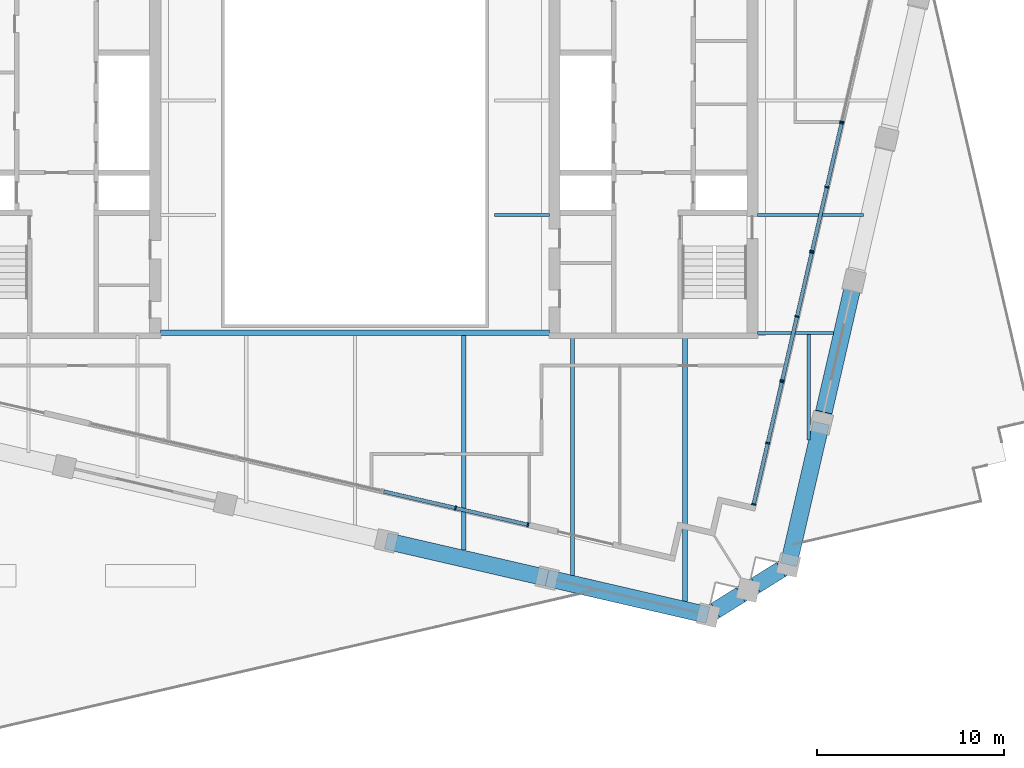
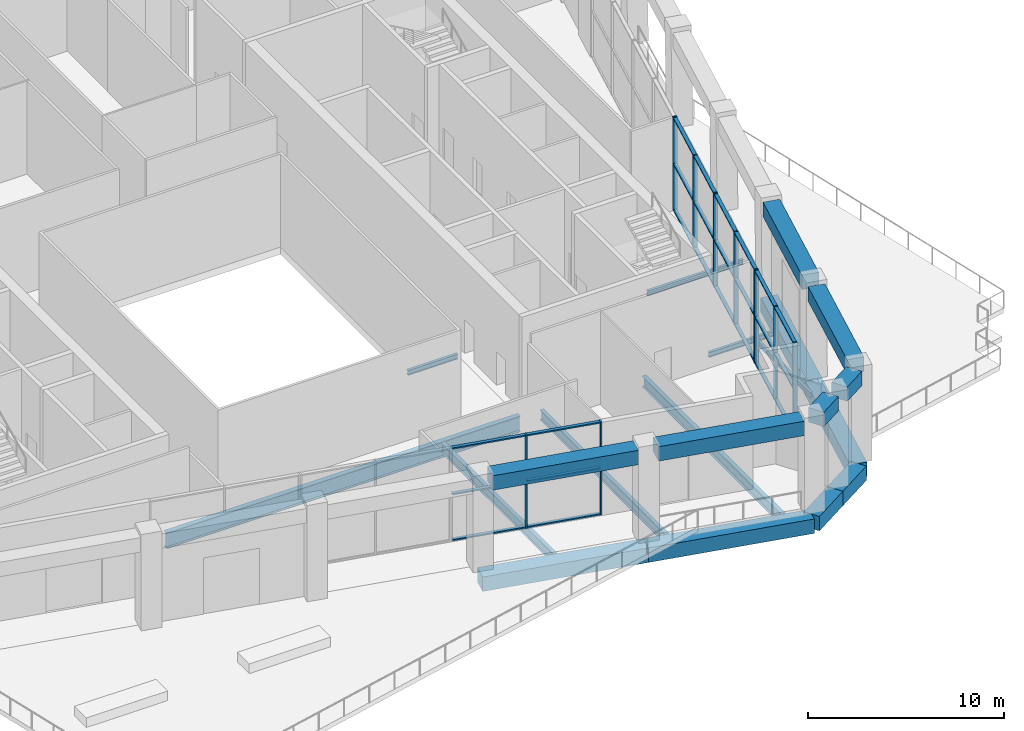
# One storey, part 3 of 21: 36 members, 20 beams, 5 elements without a shape of their own.
"""IFC4 building model written with IfcOpenShell, lengths in metres."""

from ifc_helpers import new_model, si_unit, direction, frame, origin, origin_2d, place, context, subcontext, project, spatial, rectangle, i_section, extrude, material, material_profile, profile_set, type_object, element, aggregate, save


model = new_model("IFC4")

# Units and contexts
model_context = context("Model", 3, precision=1e-05, world=origin(), true_north=direction((0.0, 1.0)))
body_context = subcontext(model_context, "Body", "Model", "MODEL_VIEW")
ifc_project = project(units=[si_unit("LENGTHUNIT", "METRE"), si_unit("AREAUNIT", "SQUARE_METRE"), si_unit("VOLUMEUNIT", "CUBIC_METRE"), si_unit("PLANEANGLEUNIT", "RADIAN"), si_unit("MASSUNIT", "GRAM", prefix="KILO")], contexts=[model_context])

# Site, building, storey
site_placement = place(None, origin())
site = spatial("IfcSite", under=ifc_project, at=site_placement, CompositionType="ELEMENT")
building_placement = place(site_placement, origin())
building = spatial("IfcBuilding", under=site, at=building_placement, Name="Ogive Exchange Tower", CompositionType="ELEMENT")
storey_placement = place(building_placement, frame((0.0, 0.0, 237.0)))
storey = spatial("IfcBuildingStorey", under=building, at=storey_placement, Name="L51", CompositionType="ELEMENT", Elevation=237.0)

# Beams
ifc_material_1 = material(Name="Steel ASTM A992 Gr50", Category="steel")
ifc_material_profile_1 = material_profile(ifc_material_1, i_section(OverallWidth=0.1650390625, OverallDepth=0.31005859375, WebThickness=0.005859375, FlangeThickness=0.009765625, at=origin_2d()), Name="W310x38.7")
ifc_profile_set_1 = profile_set([ifc_material_profile_1], Name="Steel ASTM A992 Gr50")
beam_type_1 = type_object("IfcBeamType", Name="Floor beam W310x38.7", PredefinedType="JOIST", material=ifc_profile_set_1)
beam_1_placement = place(storey_placement, frame((7.469970703125, 3.8583984375, -0.60498046875), z_axis=(1.0, 0.0, 0.0), x_axis=(0.0, 1.0, 0.0)))
element("IfcBeam", 1, at=beam_1_placement, inside=storey, type_object=beam_type_1, Name="Floor beam", PredefinedType="JOIST", context=body_context, shape_type="SweptSolid", body=[
    extrude(i_section(OverallWidth=0.1650390625, OverallDepth=0.31005859375, WebThickness=0.005859375, FlangeThickness=0.009765625, at=origin_2d()), origin(), (0.0, 0.0, 1.0), 2.949951171875),
])
beam_2_placement = place(storey_placement, frame((21.580078125, 3.8583984375, -0.60498046875), z_axis=(1.0, 0.0, 0.0), x_axis=(0.0, 1.0, 0.0)))
element("IfcBeam", 2, at=beam_2_placement, inside=storey, type_object=beam_type_1, Name="Floor beam", PredefinedType="JOIST", context=body_context, shape_type="SweptSolid", body=[
    extrude(i_section(OverallWidth=0.1650390625, OverallDepth=0.31005859375, WebThickness=0.005859375, FlangeThickness=0.009765625, at=origin_2d()), origin(), (0.0, 0.0, 1.0), 5.6708984375),
])
beam_3_placement = place(storey_placement, frame((24.319091796875, -8.190673828125, -0.60498046875), z_axis=(0.0, 1.0, 0.0), x_axis=(-1.0, 0.0, 0.0)))
element("IfcBeam", 3, at=beam_3_placement, inside=storey, type_object=beam_type_1, Name="Floor beam", PredefinedType="JOIST", context=body_context, shape_type="SweptSolid", body=[
    extrude(i_section(OverallWidth=0.1650390625, OverallDepth=0.31005859375, WebThickness=0.005859375, FlangeThickness=0.009765625, at=origin_2d()), origin(), (0.0, 0.0, 1.0), 5.6630859375),
])
ifc_material_profile_2 = material_profile(ifc_material_1, i_section(OverallWidth=0.22802734375, OverallDepth=0.60205078125, WebThickness=0.010498046875, FlangeThickness=0.014892578125, at=origin_2d()), Name="W610x101")
ifc_profile_set_2 = profile_set([ifc_material_profile_2], Name="Steel ASTM A992 Gr50")
beam_type_2 = type_object("IfcBeamType", Name="Floor beam W610x101", PredefinedType="JOIST", material=ifc_profile_set_2)
beam_4_placement = place(storey_placement, frame((5.829833984375, -14.096923828125, -0.7509765625), z_axis=(0.0, 1.0, 0.0), x_axis=(-1.0, 0.0, 0.0)))
element("IfcBeam", 4, at=beam_4_placement, inside=storey, type_object=beam_type_2, Name="Floor beam", PredefinedType="JOIST", context=body_context, shape_type="SweptSolid", body=[
    extrude(i_section(OverallWidth=0.22802734375, OverallDepth=0.60205078125, WebThickness=0.010498046875, FlangeThickness=0.014892578125, at=origin_2d()), origin(), (0.0, 0.0, 1.0), 11.501953125),
])
ifc_material_profile_3 = material_profile(ifc_material_1, i_section(OverallWidth=0.22900390625, OverallDepth=0.612060546875, WebThickness=0.011962890625, FlangeThickness=0.01953125, at=origin_2d()), Name="W610x125")
ifc_profile_set_3 = profile_set([ifc_material_profile_3], Name="Steel ASTM A992 Gr50")
beam_type_3 = type_object("IfcBeamType", Name="Floor beam W610x125", PredefinedType="JOIST", material=ifc_profile_set_3)
beam_5_placement = place(storey_placement, frame((11.65966796875, -15.44287109375, -0.756103515625), z_axis=(0.0, 1.0, 0.0), x_axis=(-1.0, 0.0, 0.0)))
element("IfcBeam", 5, at=beam_5_placement, inside=storey, type_object=beam_type_3, Name="Floor beam", PredefinedType="JOIST", context=body_context, shape_type="SweptSolid", body=[
    extrude(i_section(OverallWidth=0.22900390625, OverallDepth=0.612060546875, WebThickness=0.011962890625, FlangeThickness=0.01953125, at=origin_2d()), origin(), (0.0, 0.0, 1.0), 12.8427734375),
])
ifc_material_profile_4 = material_profile(ifc_material_1, i_section(OverallWidth=0.25390625, OverallDepth=0.677978515625, WebThickness=0.01171875, FlangeThickness=0.016357421875, at=origin_2d()), Name="W690x125")
ifc_profile_set_4 = profile_set([ifc_material_profile_4], Name="Steel ASTM A992 Gr50")
beam_type_4 = type_object("IfcBeamType", Name="Floor beam W690x125", PredefinedType="JOIST", material=ifc_profile_set_4)
beam_6_placement = place(storey_placement, frame((17.689453125, -16.8349609375, -0.7890625), z_axis=(0.0, 1.0, 0.0), x_axis=(-1.0, 0.0, 0.0)))
element("IfcBeam", 6, at=beam_6_placement, inside=storey, type_object=beam_type_4, Name="Floor beam", PredefinedType="JOIST", context=body_context, shape_type="SweptSolid", body=[
    extrude(i_section(OverallWidth=0.25390625, OverallDepth=0.677978515625, WebThickness=0.01171875, FlangeThickness=0.016357421875, at=origin_2d()), origin(), (0.0, 0.0, 1.0), 14.23486328125),
])
ifc_material_profile_5 = material_profile(ifc_material_1, i_section(OverallWidth=0.300048828125, OverallDepth=0.97998046875, WebThickness=0.0166015625, FlangeThickness=0.026123046875, at=origin_2d()), Name="W1000x249")
ifc_profile_set_5 = profile_set([ifc_material_profile_5], Name="Steel ASTM A992 Gr50")
beam_type_5 = type_object("IfcBeamType", Name="Girder W1000x249", PredefinedType="BEAM", material=ifc_profile_set_5)
beam_7_placement = place(storey_placement, frame((-10.419921875, -2.445068359375, -0.93994140625), z_axis=(1.0, 0.0, 0.0), x_axis=(0.0, 1.0, 0.0)))
element("IfcBeam", 7, at=beam_7_placement, inside=storey, type_object=beam_type_5, Name="Header girder", PredefinedType="BEAM", context=body_context, shape_type="SweptSolid", body=[
    extrude(i_section(OverallWidth=0.300048828125, OverallDepth=0.97998046875, WebThickness=0.0166015625, FlangeThickness=0.026123046875, at=origin_2d()), origin(), (0.0, 0.0, 1.0), 20.83984375),
])
ifc_material_profile_6 = material_profile(ifc_material_1, i_section(OverallWidth=0.1650390625, OverallDepth=0.31005859375, WebThickness=0.005859375, FlangeThickness=0.009765625, at=origin_2d()), Name="W310x38.7")
ifc_profile_set_6 = profile_set([ifc_material_profile_6], Name="Steel ASTM A992 Gr50")
beam_type_6 = type_object("IfcBeamType", Name="Girder W310x38.7", PredefinedType="BEAM", material=ifc_profile_set_6)
beam_8_placement = place(storey_placement, frame((21.580078125, -2.445068359375, -0.60498046875), z_axis=(1.0, 0.0, 0.0), x_axis=(0.0, 1.0, 0.0)))
element("IfcBeam", 8, at=beam_8_placement, inside=storey, type_object=beam_type_6, Name="Header girder", PredefinedType="BEAM", context=body_context, shape_type="SweptSolid", body=[
    extrude(i_section(OverallWidth=0.1650390625, OverallDepth=0.31005859375, WebThickness=0.005859375, FlangeThickness=0.009765625, at=origin_2d()), origin(), (0.0, 0.0, 1.0), 4.065673828125),
])
ifc_material_2 = material(Name="Precast concrete C70/85 (limestone faced)", Category="masonry")
ifc_material_profile_7 = material_profile(ifc_material_2, rectangle(XDim=0.89990234375, YDim=0.89990234375, at=origin_2d()), Name="900 x 900")
ifc_profile_set_7 = profile_set([ifc_material_profile_7], Name="Precast concrete C70/85 (limestone faced)")
beam_type_7 = type_object("IfcBeamType", Name="Precast spandrel 900 x 900 C70/85", PredefinedType="SPANDREL", material=ifc_profile_set_7)
beam_9_placement = place(storey_placement, frame((2.188720703125, -13.718017578125, 5.300048828125), z_axis=(0.974366363305, -0.224967086616, 0.0), x_axis=(0.224967086616, 0.974366363305, 0.0)))
element("IfcBeam", 9, at=beam_9_placement, inside=storey, type_object=beam_type_7, Name="Spandrel 5", PredefinedType="SPANDREL", context=body_context, shape_type="SweptSolid", body=[
    extrude(rectangle(XDim=0.89990234375, YDim=0.89990234375, at=origin_2d()), origin(), (0.0, 0.0, 1.0), 7.789794921875),
])
beam_10_placement = place(storey_placement, frame((10.811767578125, -15.708984375, 5.300048828125), z_axis=(0.974374818602, -0.224930462307, 0.0), x_axis=(0.224930462307, 0.974374818602, 0.0)))
element("IfcBeam", 10, at=beam_10_placement, inside=storey, type_object=beam_type_7, Name="Spandrel 6", PredefinedType="SPANDREL", context=body_context, shape_type="SweptSolid", body=[
    extrude(rectangle(XDim=0.89990234375, YDim=0.89990234375, at=origin_2d()), origin(), (0.0, 0.0, 1.0), 7.7900390625),
])
for number, where, z_axis, x_axis, name in (
    (11, (19.32373046875, -17.327392578125, 5.300048828125), (0.84798967817, 0.53001274109, 0.0), (-0.53001274109, 0.84798967817, 0.0), "Spandrel 7"),
    (12, (21.482421875, -15.978271484375, 5.300048828125), (0.848058683477, 0.529902320601, 0.0), (-0.529902320601, 0.848058683477, 0.0), "Spandrel 8"),
):
    element("IfcBeam", number, at=place(storey_placement, frame(where, z_axis=z_axis, x_axis=x_axis)), inside=storey, type_object=beam_type_7, Name=name, PredefinedType="SPANDREL", context=body_context, shape_type="SweptSolid", body=[
        extrude(rectangle(XDim=0.89990234375, YDim=0.89990234375, at=origin_2d()), origin(), (0.0, 0.0, 1.0), 1.590087890625),
    ])
beam_11_placement = place(storey_placement, frame((23.355224609375, -14.3662109375, 5.300048828125), z_axis=(0.224945807101, 0.974371276192, 0.0), x_axis=(-0.974371276192, 0.224945807101, 0.0)))
element("IfcBeam", 13, at=beam_11_placement, inside=storey, type_object=beam_type_7, Name="Spandrel 9", PredefinedType="SPANDREL", context=body_context, shape_type="SweptSolid", body=[
    extrude(rectangle(XDim=0.89990234375, YDim=0.89990234375, at=origin_2d()), origin(), (0.0, 0.0, 1.0), 6.818115234375),
])
beam_12_placement = place(storey_placement, frame((25.12744140625, -6.690185546875, 5.300048828125), z_axis=(0.22495365579, 0.97436946419, 0.0), x_axis=(-0.97436946419, 0.22495365579, 0.0)))
element("IfcBeam", 14, at=beam_12_placement, inside=storey, type_object=beam_type_7, Name="Spandrel 10", PredefinedType="SPANDREL", context=body_context, shape_type="SweptSolid", body=[
    extrude(rectangle(XDim=0.89990234375, YDim=0.89990234375, at=origin_2d()), origin(), (0.0, 0.0, 1.0), 6.81787109375),
])
ifc_material_profile_8 = material_profile(ifc_material_2, rectangle(XDim=0.89990234375, YDim=0.89990234375, at=origin_2d()), Name="900 x 900")
ifc_profile_set_8 = profile_set([ifc_material_profile_8], Name="Precast concrete C70/85 (limestone faced)")
beam_type_8 = type_object("IfcBeamType", Name="Precast transfer girder 900 x 900 C70/85", PredefinedType="BEAM", material=ifc_profile_set_8)
beam_13_placement = place(storey_placement, frame((1.672119140625, -13.598876953125, -0.89990234375), z_axis=(0.974373060008, -0.224938080216, 0.0), x_axis=(0.224938080216, 0.974373060008, 0.0)))
element("IfcBeam", 15, at=beam_13_placement, inside=storey, type_object=beam_type_8, Name="Transfer girder 5", PredefinedType="BEAM", context=body_context, shape_type="SweptSolid", body=[
    extrude(rectangle(XDim=0.89990234375, YDim=0.89990234375, at=origin_2d()), origin(), (0.0, 0.0, 1.0), 8.85009765625),
])
beam_14_placement = place(storey_placement, frame((10.29541015625, -15.589599609375, -0.89990234375), z_axis=(0.974365617364, -0.224970317373, 0.0), x_axis=(0.224970317373, 0.974365617364, 0.0)))
element("IfcBeam", 16, at=beam_14_placement, inside=storey, type_object=beam_type_8, Name="Transfer girder 6", PredefinedType="BEAM", context=body_context, shape_type="SweptSolid", body=[
    extrude(rectangle(XDim=0.89990234375, YDim=0.89990234375, at=origin_2d()), origin(), (0.0, 0.0, 1.0), 8.849853515625),
])
beam_15_placement = place(storey_placement, frame((18.91845703125, -17.58056640625, -0.89990234375), z_axis=(0.848036015, 0.529938597635, 0.0), x_axis=(-0.529938597635, 0.848036015, 0.0)))
element("IfcBeam", 17, at=beam_15_placement, inside=storey, type_object=beam_type_8, Name="Transfer girder 7", PredefinedType="BEAM", context=body_context, shape_type="SweptSolid", body=[
    extrude(rectangle(XDim=0.89990234375, YDim=0.89990234375, at=origin_2d()), origin(), (0.0, 0.0, 1.0), 2.5458984375),
])
beam_16_placement = place(storey_placement, frame((21.077392578125, -16.2314453125, -0.89990234375), z_axis=(0.848052182659, 0.529912724405, 0.0), x_axis=(-0.529912724405, 0.848052182659, 0.0)))
element("IfcBeam", 18, at=beam_16_placement, inside=storey, type_object=beam_type_8, Name="Transfer girder 8", PredefinedType="BEAM", context=body_context, shape_type="SweptSolid", body=[
    extrude(rectangle(XDim=0.89990234375, YDim=0.89990234375, at=origin_2d()), origin(), (0.0, 0.0, 1.0), 2.54541015625),
])
for number, where, z_axis, x_axis, name in (
    (19, (23.236083984375, -14.882568359375, -0.89990234375), (0.22495322987, 0.974369562523, 0.0), (-0.974369562523, 0.22495322987, 0.0), "Transfer girder 9"),
    (20, (24.99072265625, -7.282470703125, -0.89990234375), (0.22495322987, 0.974369562523, 0.0), (-0.974369562523, 0.22495322987, 0.0), "Transfer girder 10"),
):
    element("IfcBeam", number, at=place(storey_placement, frame(where, z_axis=z_axis, x_axis=x_axis)), inside=storey, type_object=beam_type_8, Name=name, PredefinedType="BEAM", context=body_context, shape_type="SweptSolid", body=[
        extrude(rectangle(XDim=0.89990234375, YDim=0.89990234375, at=origin_2d()), origin(), (0.0, 0.0, 1.0), 7.800048828125),
    ])

# Curtain wall, members
ifc_material_3 = material(Name="Anodised aluminium and clear glass", Category="aluminium")
curtain_wall_type = type_object("IfcCurtainWallType", Name="Winter garden glazing", PredefinedType="NOTDEFINED", material=ifc_material_3)
curtain_wall_1_placement = place(storey_placement, origin())
curtain_wall_1 = element("IfcCurtainWall", 21, at=curtain_wall_1_placement, inside=storey, type_object=curtain_wall_type, Name="Winter garden glazing run G5", PredefinedType="NOTDEFINED")
ifc_material_4 = material(Name="Anodised aluminium", Category="aluminium")
ifc_material_profile_9 = material_profile(ifc_material_4, rectangle(XDim=0.239990234375, YDim=0.080078125, at=origin_2d()), Name="AL 80x240")
ifc_profile_set_9 = profile_set([ifc_material_profile_9], Name="Anodised aluminium")
member_type_1 = type_object("IfcMemberType", Name="Winter garden glazing mullion 80 x 240", PredefinedType="MULLION", material=ifc_profile_set_9)
member_1_placement = place(storey_placement, frame((5.38818359375, -11.839599609375, 0.0), z_axis=(0.0, 0.0, 1.0), x_axis=(0.224955673842, 0.974368998279, 0.0)))
member_1 = element("IfcMember", 22, at=member_1_placement, type_object=member_type_1, Name="G5 mullion 2", PredefinedType="MULLION", context=body_context, shape_type="SweptSolid", body=[
    extrude(rectangle(XDim=0.239990234375, YDim=0.080078125, at=origin_2d()), origin(), (0.0, 0.0, 1.0), 5.800048828125),
])
member_2_placement = place(storey_placement, frame((9.27099609375, -12.736083984375, 0.0), z_axis=(0.0, 0.0, 1.0), x_axis=(0.224955673842, 0.974368998279, 0.0)))
member_2 = element("IfcMember", 23, at=member_2_placement, type_object=member_type_1, Name="G5 mullion 3", PredefinedType="MULLION", context=body_context, shape_type="SweptSolid", body=[
    extrude(rectangle(XDim=0.239990234375, YDim=0.080078125, at=origin_2d()), origin(), (0.0, 0.0, 1.0), 5.800048828125),
])

curtain_wall_2_placement = place(storey_placement, origin())
curtain_wall_2 = element("IfcCurtainWall", 24, at=curtain_wall_2_placement, inside=storey, type_object=curtain_wall_type, Name="Winter garden glazing run G7", PredefinedType="NOTDEFINED")
member_3_placement = place(storey_placement, frame((21.367919921875, -11.63916015625, 0.0), z_axis=(0.0, 0.0, 1.0), x_axis=(-0.974369920963, 0.224951677306, 0.0)))
member_3 = element("IfcMember", 25, at=member_3_placement, type_object=member_type_1, Name="G7 mullion 1", PredefinedType="MULLION", context=body_context, shape_type="SweptSolid", body=[
    extrude(rectangle(XDim=0.239990234375, YDim=0.080078125, at=origin_2d()), origin(), (0.0, 0.0, 1.0), 5.800048828125),
])
member_4_placement = place(storey_placement, frame((22.125244140625, -8.3583984375, 0.0), z_axis=(0.0, 0.0, 1.0), x_axis=(-0.974369920963, 0.224951677306, 0.0)))
member_4 = element("IfcMember", 26, at=member_4_placement, type_object=member_type_1, Name="G7 mullion 2", PredefinedType="MULLION", context=body_context, shape_type="SweptSolid", body=[
    extrude(rectangle(XDim=0.239990234375, YDim=0.080078125, at=origin_2d()), origin(), (0.0, 0.0, 1.0), 5.800048828125),
])
member_5_placement = place(storey_placement, frame((22.8828125, -5.077392578125, 0.0), z_axis=(0.0, 0.0, 1.0), x_axis=(-0.974369920963, 0.224951677306, 0.0)))
member_5 = element("IfcMember", 27, at=member_5_placement, type_object=member_type_1, Name="G7 mullion 3", PredefinedType="MULLION", context=body_context, shape_type="SweptSolid", body=[
    extrude(rectangle(XDim=0.239990234375, YDim=0.080078125, at=origin_2d()), origin(), (0.0, 0.0, 1.0), 5.800048828125),
])

curtain_wall_3_placement = place(storey_placement, origin())
curtain_wall_3 = element("IfcCurtainWall", 28, at=curtain_wall_3_placement, inside=storey, type_object=curtain_wall_type, Name="Winter garden glazing run G8", PredefinedType="NOTDEFINED")
member_6_placement = place(storey_placement, frame((22.900634765625, -4.99951171875, 0.0), z_axis=(0.0, 0.0, 1.0), x_axis=(-0.974368684938, 0.224957031035, 0.0)))
member_6 = element("IfcMember", 29, at=member_6_placement, type_object=member_type_1, Name="G8 mullion 1", PredefinedType="MULLION", context=body_context, shape_type="SweptSolid", body=[
    extrude(rectangle(XDim=0.239990234375, YDim=0.080078125, at=origin_2d()), origin(), (0.0, 0.0, 1.0), 5.800048828125),
])
member_7_placement = place(storey_placement, frame((23.69189453125, -1.572509765625, 0.0), z_axis=(0.0, 0.0, 1.0), x_axis=(-0.974368684938, 0.224957031035, 0.0)))
member_7 = element("IfcMember", 30, at=member_7_placement, type_object=member_type_1, Name="G8 mullion 2", PredefinedType="MULLION", context=body_context, shape_type="SweptSolid", body=[
    extrude(rectangle(XDim=0.239990234375, YDim=0.080078125, at=origin_2d()), origin(), (0.0, 0.0, 1.0), 5.800048828125),
])
member_8_placement = place(storey_placement, frame((24.483154296875, 1.8544921875, 0.0), z_axis=(0.0, 0.0, 1.0), x_axis=(-0.974368684938, 0.224957031035, 0.0)))
member_8 = element("IfcMember", 31, at=member_8_placement, type_object=member_type_1, Name="G8 mullion 3", PredefinedType="MULLION", context=body_context, shape_type="SweptSolid", body=[
    extrude(rectangle(XDim=0.239990234375, YDim=0.080078125, at=origin_2d()), origin(), (0.0, 0.0, 1.0), 5.800048828125),
])

curtain_wall_4_placement = place(storey_placement, origin())
curtain_wall_4 = element("IfcCurtainWall", 32, at=curtain_wall_4_placement, inside=storey, type_object=curtain_wall_type, Name="Winter garden glazing run G9", PredefinedType="NOTDEFINED")
member_9_placement = place(storey_placement, frame((24.5009765625, 1.932373046875, 0.0), z_axis=(0.0, 0.0, 1.0), x_axis=(-0.974372477105, 0.224940605185, 0.0)))
member_9 = element("IfcMember", 33, at=member_9_placement, type_object=member_type_1, Name="G9 mullion 1", PredefinedType="MULLION", context=body_context, shape_type="SweptSolid", body=[
    extrude(rectangle(XDim=0.239990234375, YDim=0.080078125, at=origin_2d()), origin(), (0.0, 0.0, 1.0), 5.800048828125),
])
member_10_placement = place(storey_placement, frame((25.292236328125, 5.359375, 0.0), z_axis=(0.0, 0.0, 1.0), x_axis=(-0.974372477105, 0.224940605185, 0.0)))
member_10 = element("IfcMember", 34, at=member_10_placement, type_object=member_type_1, Name="G9 mullion 2", PredefinedType="MULLION", context=body_context, shape_type="SweptSolid", body=[
    extrude(rectangle(XDim=0.239990234375, YDim=0.080078125, at=origin_2d()), origin(), (0.0, 0.0, 1.0), 5.800048828125),
])
member_11_placement = place(storey_placement, frame((26.08349609375, 8.786376953125, 0.0), z_axis=(0.0, 0.0, 1.0), x_axis=(-0.974372477105, 0.224940605185, 0.0)))
member_11 = element("IfcMember", 35, at=member_11_placement, type_object=member_type_1, Name="G9 mullion 3", PredefinedType="MULLION", context=body_context, shape_type="SweptSolid", body=[
    extrude(rectangle(XDim=0.239990234375, YDim=0.080078125, at=origin_2d()), origin(), (0.0, 0.0, 1.0), 5.800048828125),
])

# Curtain wall, member
curtain_wall_5_placement = place(storey_placement, origin())
curtain_wall_5 = element("IfcCurtainWall", 36, at=curtain_wall_5_placement, inside=storey, type_object=curtain_wall_type, Name="Winter garden glazing run G10", PredefinedType="NOTDEFINED")
member_12_placement = place(storey_placement, frame((26.101318359375, 8.8642578125, 0.0), z_axis=(0.0, 0.0, 1.0), x_axis=(-0.974368684938, 0.224957031035, 0.0)))
member_12 = element("IfcMember", 37, at=member_12_placement, type_object=member_type_1, Name="G10 mullion 1", PredefinedType="MULLION", context=body_context, shape_type="SweptSolid", body=[
    extrude(rectangle(XDim=0.239990234375, YDim=0.080078125, at=origin_2d()), origin(), (0.0, 0.0, 1.0), 5.800048828125),
])
aggregate(curtain_wall_5, [member_12])

# Member
ifc_material_profile_10 = material_profile(ifc_material_4, rectangle(XDim=0.199951171875, YDim=0.080078125, at=origin_2d()), Name="AL 80x200")
ifc_profile_set_10 = profile_set([ifc_material_profile_10], Name="Anodised aluminium")
member_type_2 = type_object("IfcMemberType", Name="Winter garden glazing transom 80 x 200", PredefinedType="USERDEFINED", material=ifc_profile_set_10)
member_13_placement = place(storey_placement, frame((1.544189453125, -10.9521484375, 0.0400390625), z_axis=(0.974371171445, -0.224946260819, 0.0), x_axis=(0.224946260819, 0.974371171445, 0.0)))
member_13 = element("IfcMember", 38, at=member_13_placement, type_object=member_type_2, Name="G5 transom 1.1", ObjectType="TRANSOM", PredefinedType="USERDEFINED", context=body_context, shape_type="SweptSolid", body=[
    extrude(rectangle(XDim=0.199951171875, YDim=0.080078125, at=origin_2d()), origin(), (0.0, 0.0, 1.0), 3.905029296875),
])

member_14_placement = place(storey_placement, frame((1.544189453125, -10.9521484375, 2.89990234375), z_axis=(0.974371171445, -0.224946260819, 0.0), x_axis=(0.224946260819, 0.974371171445, 0.0)))
member_14 = element("IfcMember", 39, at=member_14_placement, type_object=member_type_2, Name="G5 transom 1.2", ObjectType="TRANSOM", PredefinedType="USERDEFINED", context=body_context, shape_type="SweptSolid", body=[
    extrude(rectangle(XDim=0.199951171875, YDim=0.080078125, at=origin_2d()), origin(), (0.0, 0.0, 1.0), 3.905029296875),
])

member_15_placement = place(storey_placement, frame((1.544189453125, -10.9521484375, 5.760009765625), z_axis=(0.974371171445, -0.224946260819, 0.0), x_axis=(0.224946260819, 0.974371171445, 0.0)))
member_15 = element("IfcMember", 40, at=member_15_placement, type_object=member_type_2, Name="G5 transom 1.3", ObjectType="TRANSOM", PredefinedType="USERDEFINED", context=body_context, shape_type="SweptSolid", body=[
    extrude(rectangle(XDim=0.199951171875, YDim=0.080078125, at=origin_2d()), origin(), (0.0, 0.0, 1.0), 3.905029296875),
])

member_16_placement = place(storey_placement, frame((5.42724609375, -11.8486328125, 0.0400390625), z_axis=(0.974368007603, -0.224959964794, 0.0), x_axis=(0.224959964794, 0.974368007603, 0.0)))
member_16 = element("IfcMember", 41, at=member_16_placement, type_object=member_type_2, Name="G5 transom 2.1", ObjectType="TRANSOM", PredefinedType="USERDEFINED", context=body_context, shape_type="SweptSolid", body=[
    extrude(rectangle(XDim=0.199951171875, YDim=0.080078125, at=origin_2d()), origin(), (0.0, 0.0, 1.0), 3.90478515625),
])

member_17_placement = place(storey_placement, frame((5.42724609375, -11.8486328125, 2.89990234375), z_axis=(0.974368007603, -0.224959964794, 0.0), x_axis=(0.224959964794, 0.974368007603, 0.0)))
member_17 = element("IfcMember", 42, at=member_17_placement, type_object=member_type_2, Name="G5 transom 2.2", ObjectType="TRANSOM", PredefinedType="USERDEFINED", context=body_context, shape_type="SweptSolid", body=[
    extrude(rectangle(XDim=0.199951171875, YDim=0.080078125, at=origin_2d()), origin(), (0.0, 0.0, 1.0), 3.90478515625),
])

member_18_placement = place(storey_placement, frame((5.42724609375, -11.8486328125, 5.760009765625), z_axis=(0.974368007603, -0.224959964794, 0.0), x_axis=(0.224959964794, 0.974368007603, 0.0)))
member_18 = element("IfcMember", 43, at=member_18_placement, type_object=member_type_2, Name="G5 transom 2.3", ObjectType="TRANSOM", PredefinedType="USERDEFINED", context=body_context, shape_type="SweptSolid", body=[
    extrude(rectangle(XDim=0.199951171875, YDim=0.080078125, at=origin_2d()), origin(), (0.0, 0.0, 1.0), 3.90478515625),
])

aggregate(curtain_wall_1, [member_1, member_2, member_13, member_14, member_15, member_16, member_17, member_18])

member_19_placement = place(storey_placement, frame((21.376708984375, -11.600341796875, 0.0400390625), z_axis=(0.224951712354, 0.974369912871, 0.0), x_axis=(-0.974369912871, 0.224951712354, 0.0)))
member_19 = element("IfcMember", 44, at=member_19_placement, type_object=member_type_2, Name="G7 transom 1.1", ObjectType="TRANSOM", PredefinedType="USERDEFINED", context=body_context, shape_type="SweptSolid", body=[
    extrude(rectangle(XDim=0.199951171875, YDim=0.080078125, at=origin_2d()), origin(), (0.0, 0.0, 1.0), 3.287353515625),
])

member_20_placement = place(storey_placement, frame((21.376708984375, -11.600341796875, 2.89990234375), z_axis=(0.224951712354, 0.974369912871, 0.0), x_axis=(-0.974369912871, 0.224951712354, 0.0)))
member_20 = element("IfcMember", 45, at=member_20_placement, type_object=member_type_2, Name="G7 transom 1.2", ObjectType="TRANSOM", PredefinedType="USERDEFINED", context=body_context, shape_type="SweptSolid", body=[
    extrude(rectangle(XDim=0.199951171875, YDim=0.080078125, at=origin_2d()), origin(), (0.0, 0.0, 1.0), 3.287353515625),
])

member_21_placement = place(storey_placement, frame((21.376708984375, -11.600341796875, 5.760009765625), z_axis=(0.224951712354, 0.974369912871, 0.0), x_axis=(-0.974369912871, 0.224951712354, 0.0)))
member_21 = element("IfcMember", 46, at=member_21_placement, type_object=member_type_2, Name="G7 transom 1.3", ObjectType="TRANSOM", PredefinedType="USERDEFINED", context=body_context, shape_type="SweptSolid", body=[
    extrude(rectangle(XDim=0.199951171875, YDim=0.080078125, at=origin_2d()), origin(), (0.0, 0.0, 1.0), 3.287353515625),
])

member_22_placement = place(storey_placement, frame((22.13427734375, -8.3193359375, 0.0400390625), z_axis=(0.224967991582, 0.974366154361, 0.0), x_axis=(-0.974366154361, 0.224967991582, 0.0)))
member_22 = element("IfcMember", 47, at=member_22_placement, type_object=member_type_2, Name="G7 transom 2.1", ObjectType="TRANSOM", PredefinedType="USERDEFINED", context=body_context, shape_type="SweptSolid", body=[
    extrude(rectangle(XDim=0.199951171875, YDim=0.080078125, at=origin_2d()), origin(), (0.0, 0.0, 1.0), 3.287109375),
])

member_23_placement = place(storey_placement, frame((22.13427734375, -8.3193359375, 2.89990234375), z_axis=(0.224967991582, 0.974366154361, 0.0), x_axis=(-0.974366154361, 0.224967991582, 0.0)))
member_23 = element("IfcMember", 48, at=member_23_placement, type_object=member_type_2, Name="G7 transom 2.2", ObjectType="TRANSOM", PredefinedType="USERDEFINED", context=body_context, shape_type="SweptSolid", body=[
    extrude(rectangle(XDim=0.199951171875, YDim=0.080078125, at=origin_2d()), origin(), (0.0, 0.0, 1.0), 3.287109375),
])

member_24_placement = place(storey_placement, frame((22.13427734375, -8.3193359375, 5.760009765625), z_axis=(0.224967991582, 0.974366154361, 0.0), x_axis=(-0.974366154361, 0.224967991582, 0.0)))
member_24 = element("IfcMember", 49, at=member_24_placement, type_object=member_type_2, Name="G7 transom 2.3", ObjectType="TRANSOM", PredefinedType="USERDEFINED", context=body_context, shape_type="SweptSolid", body=[
    extrude(rectangle(XDim=0.199951171875, YDim=0.080078125, at=origin_2d()), origin(), (0.0, 0.0, 1.0), 3.287109375),
])

aggregate(curtain_wall_2, [member_3, member_4, member_5, member_19, member_20, member_21, member_22, member_23, member_24])

member_25_placement = place(storey_placement, frame((22.90966796875, -4.96044921875, 0.0400390625), z_axis=(0.224963262299, 0.974367246276, 0.0), x_axis=(-0.974367246276, 0.224963262299, 0.0)))
member_25 = element("IfcMember", 50, at=member_25_placement, type_object=member_type_2, Name="G8 transom 1.1", ObjectType="TRANSOM", PredefinedType="USERDEFINED", context=body_context, shape_type="SweptSolid", body=[
    extrude(rectangle(XDim=0.199951171875, YDim=0.080078125, at=origin_2d()), origin(), (0.0, 0.0, 1.0), 3.43701171875),
])

member_26_placement = place(storey_placement, frame((22.90966796875, -4.96044921875, 2.89990234375), z_axis=(0.224963262299, 0.974367246276, 0.0), x_axis=(-0.974367246276, 0.224963262299, 0.0)))
member_26 = element("IfcMember", 51, at=member_26_placement, type_object=member_type_2, Name="G8 transom 1.2", ObjectType="TRANSOM", PredefinedType="USERDEFINED", context=body_context, shape_type="SweptSolid", body=[
    extrude(rectangle(XDim=0.199951171875, YDim=0.080078125, at=origin_2d()), origin(), (0.0, 0.0, 1.0), 3.43701171875),
])

member_27_placement = place(storey_placement, frame((22.90966796875, -4.96044921875, 5.760009765625), z_axis=(0.224963262299, 0.974367246276, 0.0), x_axis=(-0.974367246276, 0.224963262299, 0.0)))
member_27 = element("IfcMember", 52, at=member_27_placement, type_object=member_type_2, Name="G8 transom 1.3", ObjectType="TRANSOM", PredefinedType="USERDEFINED", context=body_context, shape_type="SweptSolid", body=[
    extrude(rectangle(XDim=0.199951171875, YDim=0.080078125, at=origin_2d()), origin(), (0.0, 0.0, 1.0), 3.43701171875),
])

member_28_placement = place(storey_placement, frame((23.700927734375, -1.53369140625, 0.0400390625), z_axis=(0.224947693018, 0.974370840802, 0.0), x_axis=(-0.974370840802, 0.224947693018, 0.0)))
member_28 = element("IfcMember", 53, at=member_28_placement, type_object=member_type_2, Name="G8 transom 2.1", ObjectType="TRANSOM", PredefinedType="USERDEFINED", context=body_context, shape_type="SweptSolid", body=[
    extrude(rectangle(XDim=0.199951171875, YDim=0.080078125, at=origin_2d()), origin(), (0.0, 0.0, 1.0), 3.437255859375),
])

member_29_placement = place(storey_placement, frame((23.700927734375, -1.53369140625, 2.89990234375), z_axis=(0.224947693018, 0.974370840802, 0.0), x_axis=(-0.974370840802, 0.224947693018, 0.0)))
member_29 = element("IfcMember", 54, at=member_29_placement, type_object=member_type_2, Name="G8 transom 2.2", ObjectType="TRANSOM", PredefinedType="USERDEFINED", context=body_context, shape_type="SweptSolid", body=[
    extrude(rectangle(XDim=0.199951171875, YDim=0.080078125, at=origin_2d()), origin(), (0.0, 0.0, 1.0), 3.437255859375),
])

member_30_placement = place(storey_placement, frame((23.700927734375, -1.53369140625, 5.760009765625), z_axis=(0.224947693018, 0.974370840802, 0.0), x_axis=(-0.974370840802, 0.224947693018, 0.0)))
member_30 = element("IfcMember", 55, at=member_30_placement, type_object=member_type_2, Name="G8 transom 2.3", ObjectType="TRANSOM", PredefinedType="USERDEFINED", context=body_context, shape_type="SweptSolid", body=[
    extrude(rectangle(XDim=0.199951171875, YDim=0.080078125, at=origin_2d()), origin(), (0.0, 0.0, 1.0), 3.437255859375),
])

aggregate(curtain_wall_3, [member_6, member_7, member_8, member_25, member_26, member_27, member_28, member_29, member_30])

member_31_placement = place(storey_placement, frame((24.510009765625, 1.971435546875, 0.0400390625), z_axis=(0.224963262299, 0.974367246276, 0.0), x_axis=(-0.974367246276, 0.224963262299, 0.0)))
member_31 = element("IfcMember", 56, at=member_31_placement, type_object=member_type_2, Name="G9 transom 1.1", ObjectType="TRANSOM", PredefinedType="USERDEFINED", context=body_context, shape_type="SweptSolid", body=[
    extrude(rectangle(XDim=0.199951171875, YDim=0.080078125, at=origin_2d()), origin(), (0.0, 0.0, 1.0), 3.43701171875),
])

member_32_placement = place(storey_placement, frame((24.510009765625, 1.971435546875, 2.89990234375), z_axis=(0.224963262299, 0.974367246276, 0.0), x_axis=(-0.974367246276, 0.224963262299, 0.0)))
member_32 = element("IfcMember", 57, at=member_32_placement, type_object=member_type_2, Name="G9 transom 1.2", ObjectType="TRANSOM", PredefinedType="USERDEFINED", context=body_context, shape_type="SweptSolid", body=[
    extrude(rectangle(XDim=0.199951171875, YDim=0.080078125, at=origin_2d()), origin(), (0.0, 0.0, 1.0), 3.43701171875),
])

member_33_placement = place(storey_placement, frame((24.510009765625, 1.971435546875, 5.760009765625), z_axis=(0.224963262299, 0.974367246276, 0.0), x_axis=(-0.974367246276, 0.224963262299, 0.0)))
member_33 = element("IfcMember", 58, at=member_33_placement, type_object=member_type_2, Name="G9 transom 1.3", ObjectType="TRANSOM", PredefinedType="USERDEFINED", context=body_context, shape_type="SweptSolid", body=[
    extrude(rectangle(XDim=0.199951171875, YDim=0.080078125, at=origin_2d()), origin(), (0.0, 0.0, 1.0), 3.43701171875),
])

member_34_placement = place(storey_placement, frame((25.30126953125, 5.3984375, 0.0400390625), z_axis=(0.224947693018, 0.974370840802, 0.0), x_axis=(-0.974370840802, 0.224947693018, 0.0)))
member_34 = element("IfcMember", 59, at=member_34_placement, type_object=member_type_2, Name="G9 transom 2.1", ObjectType="TRANSOM", PredefinedType="USERDEFINED", context=body_context, shape_type="SweptSolid", body=[
    extrude(rectangle(XDim=0.199951171875, YDim=0.080078125, at=origin_2d()), origin(), (0.0, 0.0, 1.0), 3.437255859375),
])

member_35_placement = place(storey_placement, frame((25.30126953125, 5.3984375, 2.89990234375), z_axis=(0.224947693018, 0.974370840802, 0.0), x_axis=(-0.974370840802, 0.224947693018, 0.0)))
member_35 = element("IfcMember", 60, at=member_35_placement, type_object=member_type_2, Name="G9 transom 2.2", ObjectType="TRANSOM", PredefinedType="USERDEFINED", context=body_context, shape_type="SweptSolid", body=[
    extrude(rectangle(XDim=0.199951171875, YDim=0.080078125, at=origin_2d()), origin(), (0.0, 0.0, 1.0), 3.437255859375),
])

member_36_placement = place(storey_placement, frame((25.30126953125, 5.3984375, 5.760009765625), z_axis=(0.224947693018, 0.974370840802, 0.0), x_axis=(-0.974370840802, 0.224947693018, 0.0)))
member_36 = element("IfcMember", 61, at=member_36_placement, type_object=member_type_2, Name="G9 transom 2.3", ObjectType="TRANSOM", PredefinedType="USERDEFINED", context=body_context, shape_type="SweptSolid", body=[
    extrude(rectangle(XDim=0.199951171875, YDim=0.080078125, at=origin_2d()), origin(), (0.0, 0.0, 1.0), 3.437255859375),
])

aggregate(curtain_wall_4, [member_9, member_10, member_11, member_31, member_32, member_33, member_34, member_35, member_36])

save(model, "model.ifc")
